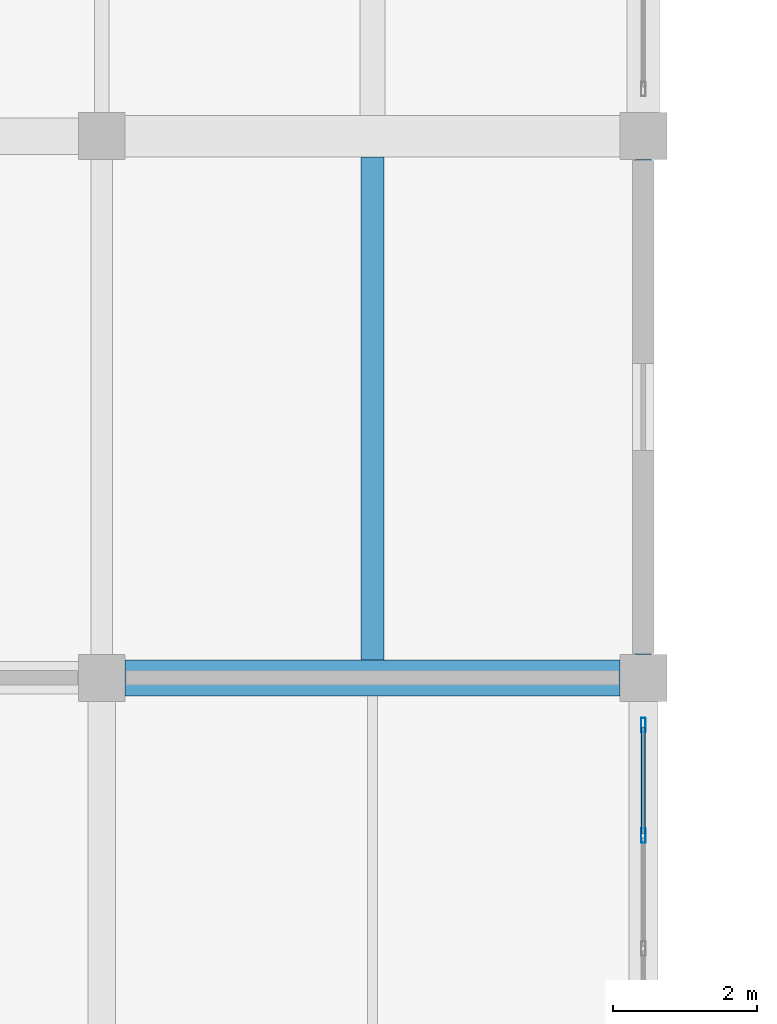
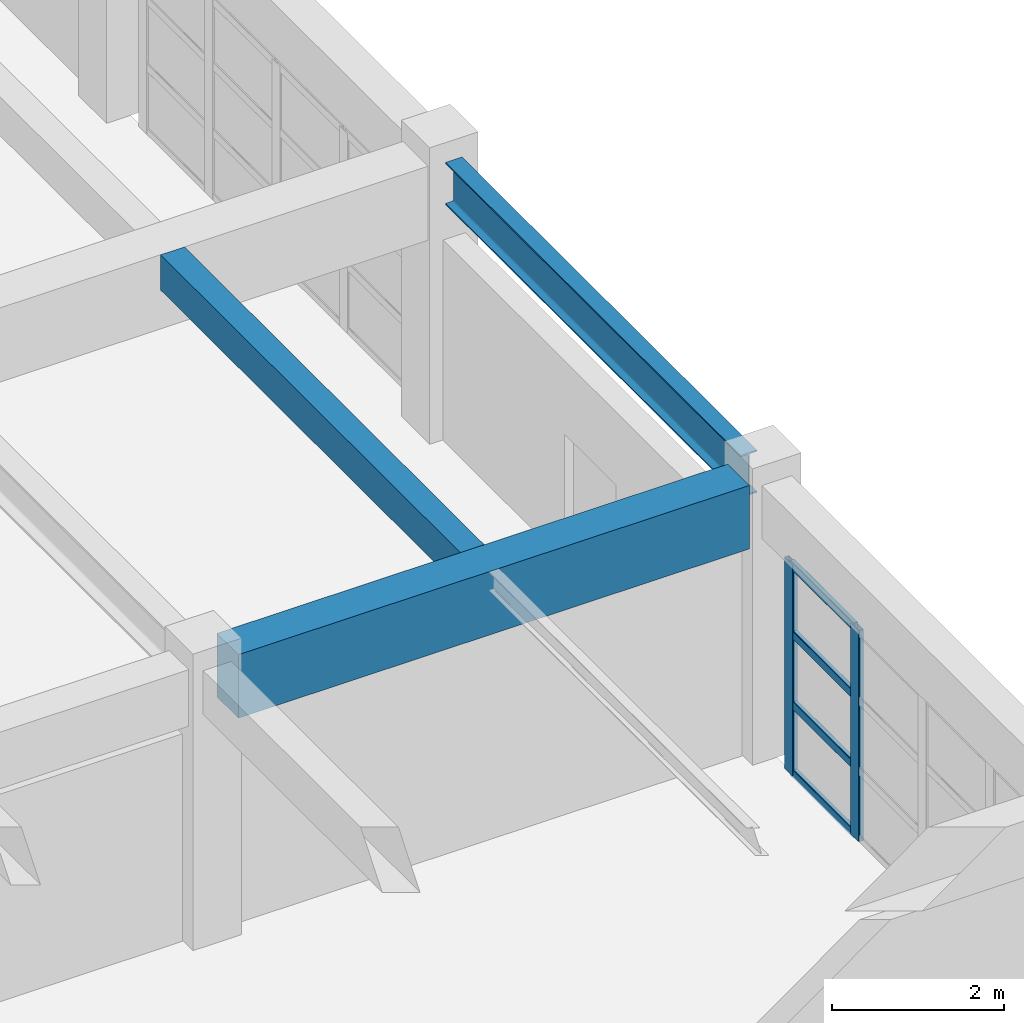
# One storey, part 51 of 132: 6 members, 3 beams, 1 element without a shape of its own.
"""IFC4 building model written with IfcOpenShell, lengths in metres."""

from ifc_helpers import new_model, si_unit, direction, frame, origin, origin_2d, place, context, subcontext, project, spatial, rectangle, hollow_rectangle, i_section, extrude, material, material_profile, profile_set, type_object, element, aggregate, save


model = new_model("IFC4")

# Units and contexts
model_context = context("Model", 3, precision=1e-05, world=origin(), true_north=direction((0.0, 1.0)))
body_context = subcontext(model_context, "Body", "Model", "MODEL_VIEW")
ifc_project = project(units=[si_unit("LENGTHUNIT", "METRE"), si_unit("AREAUNIT", "SQUARE_METRE"), si_unit("VOLUMEUNIT", "CUBIC_METRE"), si_unit("PLANEANGLEUNIT", "RADIAN"), si_unit("MASSUNIT", "GRAM", prefix="KILO")], contexts=[model_context])

# Site, building, storey
site_placement = place(None, origin())
site = spatial("IfcSite", under=ifc_project, at=site_placement, CompositionType="ELEMENT")
building_placement = place(site_placement, origin())
building = spatial("IfcBuilding", under=site, at=building_placement, Name="Qasida Concert Hall", CompositionType="ELEMENT")
storey_placement = place(building_placement, frame((0.0, 0.0, 4.800048828125)))
storey = spatial("IfcBuildingStorey", under=building, at=storey_placement, Name="L01", CompositionType="ELEMENT", Elevation=4.800048828125)

# Beams
ifc_material_1 = material(Name="Concrete C40/50", Category="concrete")
ifc_material_profile_1 = material_profile(ifc_material_1, rectangle(XDim=0.5, YDim=0.89990234375, at=origin_2d()), Name="RC 500x900")
ifc_profile_set_1 = profile_set([ifc_material_profile_1], Name="Concrete C40/50")
beam_type_1 = type_object("IfcBeamType", Name="BM-G1", PredefinedType="USERDEFINED", material=ifc_profile_set_1)
beam_1_placement = place(storey_placement, frame((30.324951171875, 90.0, 3.469970703125), z_axis=(1.0, 0.0, 0.0), x_axis=(0.0, 1.0, 0.0)))
element("IfcBeam", 1, at=beam_1_placement, inside=storey, type_object=beam_type_1, Name="Primary girder 1076", ObjectType="GIRDER", PredefinedType="USERDEFINED", context=body_context, shape_type="SweptSolid", body=[
    extrude(rectangle(XDim=0.5, YDim=0.89990234375, at=origin_2d()), origin(), (0.0, 0.0, 1.0), 6.85009765625),
])
ifc_material_profile_2 = material_profile(ifc_material_1, rectangle(XDim=0.320068359375, YDim=0.5, at=origin_2d()), Name="RC 320x500")
ifc_profile_set_2 = profile_set([ifc_material_profile_2], Name="Concrete C40/50")
beam_type_2 = type_object("IfcBeamType", Name="BM-J7", PredefinedType="JOIST", material=ifc_profile_set_2)
beam_2_placement = place(storey_placement, frame((33.75, 90.25, 3.669921875), z_axis=(0.0, 1.0, 0.0), x_axis=(-1.0, 0.0, 0.0)))
element("IfcBeam", 2, at=beam_2_placement, inside=storey, type_object=beam_type_2, Name="L01 secondary joist 1134", PredefinedType="JOIST", context=body_context, shape_type="SweptSolid", body=[
    extrude(rectangle(XDim=0.320068359375, YDim=0.5, at=origin_2d()), origin(), (0.0, 0.0, 1.0), 6.9599609375),
])
ifc_material_2 = material(Name="Steel S355J2", Category="steel")
ifc_material_profile_3 = material_profile(ifc_material_2, i_section(OverallWidth=0.219970703125, OverallDepth=0.60009765625, WebThickness=0.011962890625, FlangeThickness=0.01904296875, FilletRadius=0.02392578125, at=origin_2d()), Name="IPE 600")
ifc_profile_set_3 = profile_set([ifc_material_profile_3], Name="Steel S355J2")
beam_type_3 = type_object("IfcBeamType", Name="BM-SP3", PredefinedType="SPANDREL", material=ifc_profile_set_3)
beam_3_placement = place(storey_placement, frame((37.5, 90.324951171875, 3.619873046875), z_axis=(0.0, 1.0, 0.0), x_axis=(-1.0, 0.0, 0.0)))
element("IfcBeam", 3, at=beam_3_placement, inside=storey, type_object=beam_type_3, Name="L01 girder 1111", PredefinedType="SPANDREL", context=body_context, shape_type="SweptSolid", body=[
    extrude(i_section(OverallWidth=0.219970703125, OverallDepth=0.60009765625, WebThickness=0.011962890625, FlangeThickness=0.01904296875, FilletRadius=0.02392578125, at=origin_2d()), origin(), (0.0, 0.0, 1.0), 6.85009765625),
])

# Curtain wall, members
ifc_material_3 = material(Name="Architectural bronze-anodized aluminium and low-E glass", Category="aluminium")
curtain_wall_type = type_object("IfcCurtainWallType", Name="CW-08", PredefinedType="NOTDEFINED", material=ifc_material_3)
curtain_wall_placement = place(storey_placement, origin())
curtain_wall = element("IfcCurtainWall", 4, at=curtain_wall_placement, inside=storey, type_object=curtain_wall_type, Name="L01 curtain wall CW-08 0186", PredefinedType="NOTDEFINED")
ifc_material_4 = material(Name="Architectural bronze-anodized aluminium EN AW-6063", Category="aluminium")
ifc_material_profile_4 = material_profile(ifc_material_4, hollow_rectangle(XDim=0.06494140625, YDim=0.199951171875, WallThickness=0.0048828125, InnerFilletRadius=0.0048828125, OuterFilletRadius=0.010009765625, at=origin_2d()), Name="CWM 200x65x5")
ifc_profile_set_4 = profile_set([ifc_material_profile_4], Name="Architectural bronze-anodized aluminium EN AW-6063")
member_type_1 = type_object("IfcMemberType", Name="MB-CWM-2", PredefinedType="MULLION", material=ifc_profile_set_4)
member_1_placement = place(storey_placement, frame((37.5, 87.81494140625, 0.0), z_axis=(0.0, 0.0, 1.0), x_axis=(-1.0, 0.0, 0.0)))
member_1 = element("IfcMember", 5, at=member_1_placement, type_object=member_type_1, Name="CW-08 mullion 4", PredefinedType="MULLION", context=body_context, shape_type="SweptSolid", body=[
    extrude(hollow_rectangle(XDim=0.06494140625, YDim=0.199951171875, WallThickness=0.0048828125, InnerFilletRadius=0.0048828125, OuterFilletRadius=0.010009765625, at=origin_2d()), origin(), (0.0, 0.0, 1.0), 2.989990234375),
])
member_2_placement = place(storey_placement, frame((37.5, 89.347412109375, 0.0), z_axis=(0.0, 0.0, 1.0), x_axis=(-1.0, 0.0, 0.0)))
member_2 = element("IfcMember", 6, at=member_2_placement, type_object=member_type_1, Name="CW-08 mullion 5", PredefinedType="MULLION", context=body_context, shape_type="SweptSolid", body=[
    extrude(hollow_rectangle(XDim=0.06494140625, YDim=0.199951171875, WallThickness=0.0048828125, InnerFilletRadius=0.0048828125, OuterFilletRadius=0.010009765625, at=origin_2d()), origin(), (0.0, 0.0, 1.0), 2.989990234375),
])
ifc_material_profile_5 = material_profile(ifc_material_4, hollow_rectangle(XDim=0.06005859375, YDim=0.1201171875, WallThickness=0.00390625, InnerFilletRadius=0.00390625, OuterFilletRadius=0.008056640625, at=origin_2d()), Name="CWT 120x60x4")
ifc_profile_set_5 = profile_set([ifc_material_profile_5], Name="Architectural bronze-anodized aluminium EN AW-6063")
member_type_2 = type_object("IfcMemberType", Name="MB-CWT-2", PredefinedType="USERDEFINED", material=ifc_profile_set_5)
member_3_placement = place(storey_placement, frame((37.5, 87.847412109375, 0.030029296875), z_axis=(0.0, 1.0, 0.0), x_axis=(-1.0, 0.0, 0.0)))
member_3 = element("IfcMember", 7, at=member_3_placement, type_object=member_type_2, Name="CW-08 transom 4.1", ObjectType="TRANSOM", PredefinedType="USERDEFINED", context=body_context, shape_type="SweptSolid", body=[
    extrude(hollow_rectangle(XDim=0.06005859375, YDim=0.1201171875, WallThickness=0.00390625, InnerFilletRadius=0.00390625, OuterFilletRadius=0.008056640625, at=origin_2d()), origin(), (0.0, 0.0, 1.0), 1.467529296875),
])
member_4_placement = place(storey_placement, frame((37.5, 87.847412109375, 0.99658203125), z_axis=(0.0, 1.0, 0.0), x_axis=(-1.0, 0.0, 0.0)))
member_4 = element("IfcMember", 8, at=member_4_placement, type_object=member_type_2, Name="CW-08 transom 4.2", ObjectType="TRANSOM", PredefinedType="USERDEFINED", context=body_context, shape_type="SweptSolid", body=[
    extrude(hollow_rectangle(XDim=0.06005859375, YDim=0.1201171875, WallThickness=0.00390625, InnerFilletRadius=0.00390625, OuterFilletRadius=0.008056640625, at=origin_2d()), origin(), (0.0, 0.0, 1.0), 1.467529296875),
])
member_5_placement = place(storey_placement, frame((37.5, 87.847412109375, 1.9931640625), z_axis=(0.0, 1.0, 0.0), x_axis=(-1.0, 0.0, 0.0)))
member_5 = element("IfcMember", 9, at=member_5_placement, type_object=member_type_2, Name="CW-08 transom 4.3", ObjectType="TRANSOM", PredefinedType="USERDEFINED", context=body_context, shape_type="SweptSolid", body=[
    extrude(hollow_rectangle(XDim=0.06005859375, YDim=0.1201171875, WallThickness=0.00390625, InnerFilletRadius=0.00390625, OuterFilletRadius=0.008056640625, at=origin_2d()), origin(), (0.0, 0.0, 1.0), 1.467529296875),
])
member_6_placement = place(storey_placement, frame((37.5, 87.847412109375, 2.9599609375), z_axis=(0.0, 1.0, 0.0), x_axis=(-1.0, 0.0, 0.0)))
member_6 = element("IfcMember", 10, at=member_6_placement, type_object=member_type_2, Name="CW-08 transom 4.4", ObjectType="TRANSOM", PredefinedType="USERDEFINED", context=body_context, shape_type="SweptSolid", body=[
    extrude(hollow_rectangle(XDim=0.06005859375, YDim=0.1201171875, WallThickness=0.00390625, InnerFilletRadius=0.00390625, OuterFilletRadius=0.008056640625, at=origin_2d()), origin(), (0.0, 0.0, 1.0), 1.467529296875),
])
aggregate(curtain_wall, [member_1, member_2, member_3, member_4, member_5, member_6])

save(model, "model.ifc")
